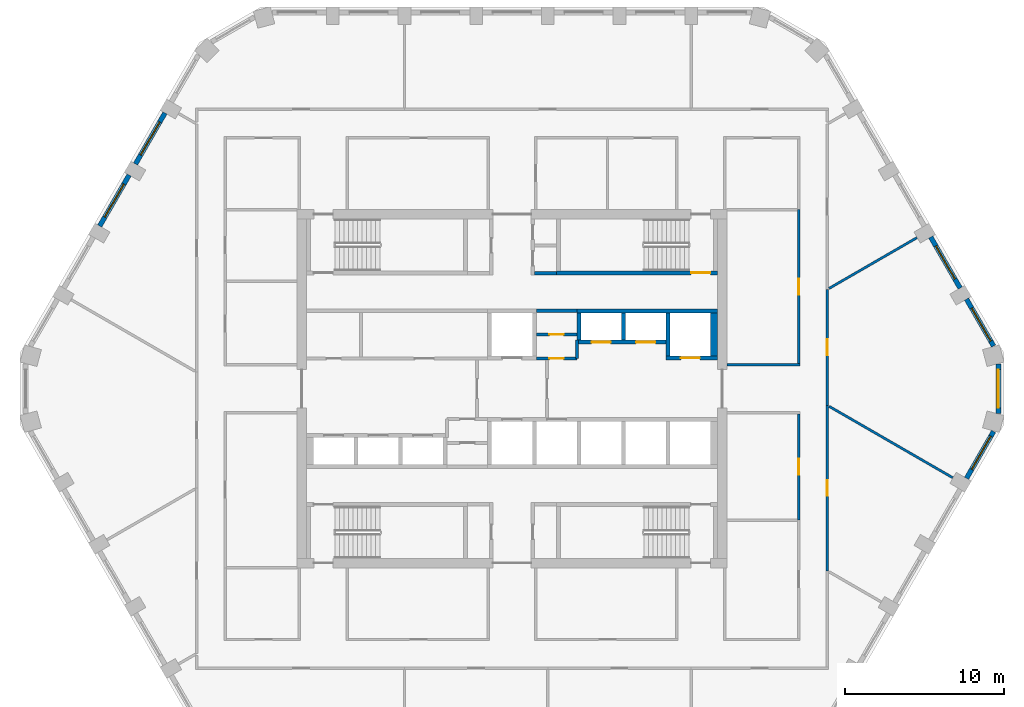
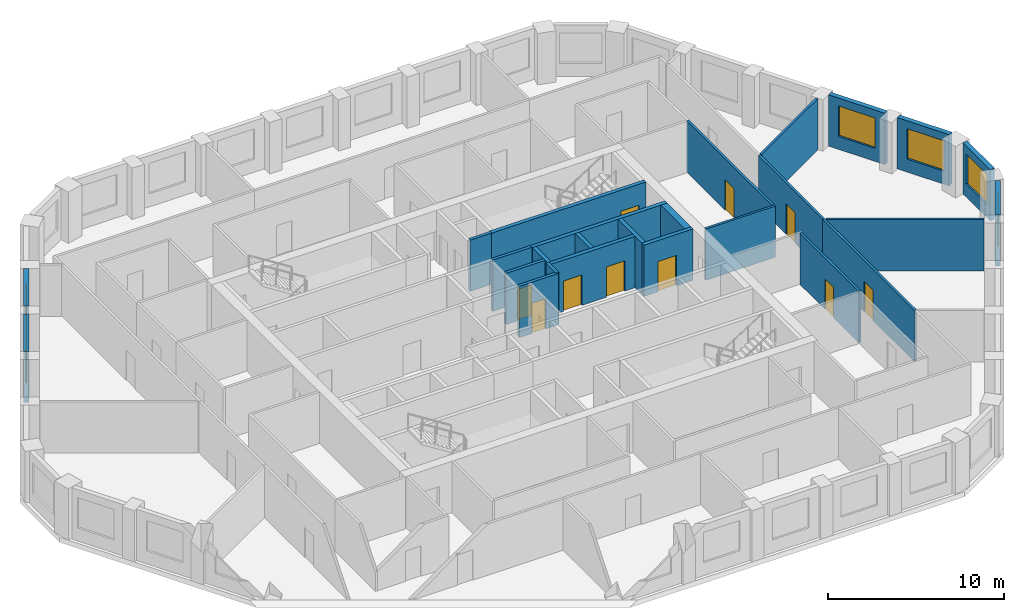
# One storey, part 5 of 9: 26 walls, 10 doors, 6 windows, 16 openings.
"""IFC4 building model written with IfcOpenShell, lengths in metres."""

from ifc_helpers import new_model, si_unit, direction, frame, frame_2d, origin, place, context, subcontext, project, spatial, polyline, rectangle, outline, extrude, material, layer, layer_set, type_object, element, fill, save


model = new_model("IFC4")

# Units and contexts
model_context = context("Model", 3, precision=1e-05, world=origin(), true_north=direction((0.0, 1.0)))
body_context = subcontext(model_context, "Body", "Model", "MODEL_VIEW")
ifc_project = project(units=[si_unit("LENGTHUNIT", "METRE"), si_unit("AREAUNIT", "SQUARE_METRE"), si_unit("VOLUMEUNIT", "CUBIC_METRE"), si_unit("PLANEANGLEUNIT", "RADIAN"), si_unit("MASSUNIT", "GRAM", prefix="KILO")], contexts=[model_context])

# Site, building, storey
site_placement = place(None, origin())
site = spatial("IfcSite", under=ifc_project, at=site_placement, CompositionType="ELEMENT")
building_placement = place(site_placement, origin())
building = spatial("IfcBuilding", under=site, at=building_placement, Name="Dhurran Vertical Campus", CompositionType="ELEMENT")
storey_placement = place(building_placement, frame((0.0, 0.0, 203.39990234375)))
storey = spatial("IfcBuildingStorey", under=building, at=storey_placement, Name="L50", CompositionType="ELEMENT", Elevation=203.39990234375)

# Wall, opening, window
ifc_material_1 = material(Name="Precast concrete C50/60", Category="concrete")
ifc_layer_1 = layer(ifc_material_1, 0.300048828125)
ifc_layer_set_1 = layer_set([ifc_layer_1], Name="Precast concrete C50/60")
wall_type_1 = type_object("IfcWallType", Name="Precast spandrel wall 300", PredefinedType="SOLIDWALL", material=ifc_layer_set_1)
wall_1_placement = place(storey_placement, frame((28.544189453125, -5.625244140625, 0.0), z_axis=(0.0, 0.0, 1.0), x_axis=(0.500012868213, 0.866017974191, 0.0)))
wall_1 = element("IfcWall", 1, at=wall_1_placement, inside=storey, type_object=wall_type_1, Name="EW1 L50.12", PredefinedType="SOLIDWALL", context=body_context, shape_type="SweptSolid", body=[
    extrude(rectangle(XDim=3.39599609375, YDim=0.300048828125, at=frame_2d((1.697998046875, 0.0))), origin(), (0.0, 0.0, 1.0), 3.550048828125),
])
opening_1_placement = place(wall_1_placement, frame((0.6494140625, 0.0, 0.89990234375)))
opening_1 = element("IfcOpeningElement", 2, at=opening_1_placement, cuts=wall_1, Name="Opening WT1", PredefinedType="OPENING", context=body_context, shape_type="SweptSolid", body=[
    extrude(rectangle(XDim=2.39990234375, YDim=2.10009765625, at=frame_2d((1.199951171875, 1.050048828125))), frame((0.0, 0.159912109375, 0.0), z_axis=(0.0, -1.0, 0.0), x_axis=(1.0, 0.0, 0.0)), (0.0, 0.0, 1.0), 0.320068359375),
])
ifc_material_2 = material(Name="Aluminium frame with solar-control glass", Category="aluminium")
window_type = type_object("IfcWindowType", Name="Punched window 2400 x 2100", PartitioningType="SINGLE_PANEL", PredefinedType="WINDOW", material=ifc_material_2)
window_1_placement = place(opening_1_placement, origin())
window_1 = element("IfcWindow", 3, at=window_1_placement, inside=storey, type_object=window_type, Name="WT1 L50.12", OverallHeight=2.10009765625, OverallWidth=2.39990234375, PartitioningType="SINGLE_PANEL", PredefinedType="WINDOW", context=body_context, shape_type="SweptSolid", body=[
    extrude(rectangle(XDim=2.39990234375, YDim=2.10009765625, at=frame_2d((1.199951171875, 1.050048828125))), frame((0.0, 0.030029296875, 0.0), z_axis=(0.0, -1.0, 0.0), x_axis=(1.0, 0.0, 0.0)), (0.0, 0.0, 1.0), 0.06005859375),
])
fill(opening_1, window_1)

wall_2_placement = place(storey_placement, frame((30.547119140625, -1.54638671875, 0.0), z_axis=(0.0, 0.0, 1.0), x_axis=(0.0, 1.0, 0.0)))
wall_2 = element("IfcWall", 4, at=wall_2_placement, inside=storey, type_object=wall_type_1, Name="EW1 L50.13", PredefinedType="SOLIDWALL", context=body_context, shape_type="SweptSolid", body=[
    extrude(rectangle(XDim=3.0927734375, YDim=0.300048828125, at=frame_2d((1.54638671875, 0.0))), origin(), (0.0, 0.0, 1.0), 3.550048828125),
])
opening_2_placement = place(wall_2_placement, frame((0.34619140625, 0.0, 0.89990234375)))
opening_2 = element("IfcOpeningElement", 5, at=opening_2_placement, cuts=wall_2, Name="Opening WT1", PredefinedType="OPENING", context=body_context, shape_type="SweptSolid", body=[
    extrude(rectangle(XDim=2.39990234375, YDim=2.10009765625, at=frame_2d((1.199951171875, 1.050048828125))), frame((0.0, 0.159912109375, 0.0), z_axis=(0.0, -1.0, 0.0), x_axis=(1.0, 0.0, 0.0)), (0.0, 0.0, 1.0), 0.320068359375),
])
window_2_placement = place(opening_2_placement, origin())
window_2 = element("IfcWindow", 6, at=window_2_placement, inside=storey, type_object=window_type, Name="WT1 L50.13", OverallHeight=2.10009765625, OverallWidth=2.39990234375, PartitioningType="SINGLE_PANEL", PredefinedType="WINDOW", context=body_context, shape_type="SweptSolid", body=[
    extrude(rectangle(XDim=2.39990234375, YDim=2.10009765625, at=frame_2d((1.199951171875, 1.050048828125))), frame((0.0, 0.030029296875, 0.0), z_axis=(0.0, -1.0, 0.0), x_axis=(1.0, 0.0, 0.0)), (0.0, 0.0, 1.0), 0.06005859375),
])
fill(opening_2, window_2)

wall_3_placement = place(storey_placement, frame((30.2421875, 2.684326171875, 0.0), z_axis=(0.0, 0.0, 1.0), x_axis=(-0.500012868213, 0.866017974191, 0.0)))
wall_3 = element("IfcWall", 7, at=wall_3_placement, inside=storey, type_object=wall_type_1, Name="EW1 L50.14", PredefinedType="SOLIDWALL", context=body_context, shape_type="SweptSolid", body=[
    extrude(rectangle(XDim=3.39599609375, YDim=0.300048828125, at=frame_2d((1.697998046875, 0.0))), origin(), (0.0, 0.0, 1.0), 3.550048828125),
])
opening_3_placement = place(wall_3_placement, frame((0.346435546875, 0.0, 0.89990234375)))
opening_3 = element("IfcOpeningElement", 8, at=opening_3_placement, cuts=wall_3, Name="Opening WT1", PredefinedType="OPENING", context=body_context, shape_type="SweptSolid", body=[
    extrude(rectangle(XDim=2.39990234375, YDim=2.10009765625, at=frame_2d((1.199951171875, 1.050048828125))), frame((0.0, 0.159912109375, 0.0), z_axis=(0.0, -1.0, 0.0), x_axis=(1.0, 0.0, 0.0)), (0.0, 0.0, 1.0), 0.320068359375),
])
window_3_placement = place(opening_3_placement, origin())
window_3 = element("IfcWindow", 9, at=window_3_placement, inside=storey, type_object=window_type, Name="WT1 L50.14", OverallHeight=2.10009765625, OverallWidth=2.39990234375, PartitioningType="SINGLE_PANEL", PredefinedType="WINDOW", context=body_context, shape_type="SweptSolid", body=[
    extrude(rectangle(XDim=2.39990234375, YDim=2.10009765625, at=frame_2d((1.199951171875, 1.050048828125))), frame((0.0, 0.030029296875, 0.0), z_axis=(0.0, -1.0, 0.0), x_axis=(1.0, 0.0, 0.0)), (0.0, 0.0, 1.0), 0.06005859375),
])
fill(opening_3, window_3)

wall_4_placement = place(storey_placement, frame((28.143798828125, 6.319091796875, 0.0), z_axis=(0.0, 0.0, 1.0), x_axis=(-0.500029062817, 0.866008623709, 0.0)))
wall_4 = element("IfcWall", 10, at=wall_4_placement, inside=storey, type_object=wall_type_1, Name="EW1 L50.15", PredefinedType="SOLIDWALL", context=body_context, shape_type="SweptSolid", body=[
    extrude(rectangle(XDim=3.698974609375, YDim=0.300048828125, at=frame_2d((1.849609375, 0.0))), origin(), (0.0, 0.0, 1.0), 3.550048828125),
])
opening_4_placement = place(wall_4_placement, frame((0.6494140625, 0.0, 0.89990234375)))
opening_4 = element("IfcOpeningElement", 11, at=opening_4_placement, cuts=wall_4, Name="Opening WT1", PredefinedType="OPENING", context=body_context, shape_type="SweptSolid", body=[
    extrude(rectangle(XDim=2.39990234375, YDim=2.10009765625, at=frame_2d((1.199951171875, 1.050048828125))), frame((0.0, 0.159912109375, 0.0), z_axis=(0.0, -1.0, 0.0), x_axis=(1.0, 0.0, 0.0)), (0.0, 0.0, 1.0), 0.320068359375),
])
window_4_placement = place(opening_4_placement, origin())
window_4 = element("IfcWindow", 12, at=window_4_placement, inside=storey, type_object=window_type, Name="WT1 L50.15", OverallHeight=2.10009765625, OverallWidth=2.39990234375, PartitioningType="SINGLE_PANEL", PredefinedType="WINDOW", context=body_context, shape_type="SweptSolid", body=[
    extrude(rectangle(XDim=2.39990234375, YDim=2.10009765625, at=frame_2d((1.199951171875, 1.050048828125))), frame((0.0, 0.030029296875, 0.0), z_axis=(0.0, -1.0, 0.0), x_axis=(1.0, 0.0, 0.0)), (0.0, 0.0, 1.0), 0.06005859375),
])
fill(opening_4, window_4)

wall_5_placement = place(storey_placement, frame((-21.794189453125, 17.316650390625, 0.0), z_axis=(0.0, 0.0, 1.0), x_axis=(-0.500029062817, -0.866008623709, 0.0)))
wall_5 = element("IfcWall", 13, at=wall_5_placement, inside=storey, type_object=wall_type_1, Name="EW1 L50.29", PredefinedType="SOLIDWALL", context=body_context, shape_type="SweptSolid", body=[
    extrude(rectangle(XDim=3.698974609375, YDim=0.300048828125, at=frame_2d((1.849609375, 0.0))), origin(), (0.0, 0.0, 1.0), 3.550048828125),
])
opening_5_placement = place(wall_5_placement, frame((0.6494140625, 0.0, 0.89990234375)))
opening_5 = element("IfcOpeningElement", 14, at=opening_5_placement, cuts=wall_5, Name="Opening WT1", PredefinedType="OPENING", context=body_context, shape_type="SweptSolid", body=[
    extrude(rectangle(XDim=2.39990234375, YDim=2.10009765625, at=frame_2d((1.199951171875, 1.050048828125))), frame((0.0, 0.159912109375, 0.0), z_axis=(0.0, -1.0, 0.0), x_axis=(1.0, 0.0, 0.0)), (0.0, 0.0, 1.0), 0.320068359375),
])
window_5_placement = place(opening_5_placement, origin())
window_5 = element("IfcWindow", 15, at=window_5_placement, inside=storey, type_object=window_type, Name="WT1 L50.29", OverallHeight=2.10009765625, OverallWidth=2.39990234375, PartitioningType="SINGLE_PANEL", PredefinedType="WINDOW", context=body_context, shape_type="SweptSolid", body=[
    extrude(rectangle(XDim=2.39990234375, YDim=2.10009765625, at=frame_2d((1.199951171875, 1.050048828125))), frame((0.0, 0.030029296875, 0.0), z_axis=(0.0, -1.0, 0.0), x_axis=(1.0, 0.0, 0.0)), (0.0, 0.0, 1.0), 0.06005859375),
])
fill(opening_5, window_5)

wall_6_placement = place(storey_placement, frame((-24.044189453125, 13.41943359375, 0.0), z_axis=(0.0, 0.0, 1.0), x_axis=(-0.500029062817, -0.866008623709, 0.0)))
wall_6 = element("IfcWall", 16, at=wall_6_placement, inside=storey, type_object=wall_type_1, Name="EW1 L50.30", PredefinedType="SOLIDWALL", context=body_context, shape_type="SweptSolid", body=[
    extrude(rectangle(XDim=3.698974609375, YDim=0.300048828125, at=frame_2d((1.849609375, 0.0))), origin(), (0.0, 0.0, 1.0), 3.550048828125),
])
opening_6_placement = place(wall_6_placement, frame((0.6494140625, 0.0, 0.89990234375)))
opening_6 = element("IfcOpeningElement", 17, at=opening_6_placement, cuts=wall_6, Name="Opening WT1", PredefinedType="OPENING", context=body_context, shape_type="SweptSolid", body=[
    extrude(rectangle(XDim=2.39990234375, YDim=2.10009765625, at=frame_2d((1.199951171875, 1.050048828125))), frame((0.0, 0.159912109375, 0.0), z_axis=(0.0, -1.0, 0.0), x_axis=(1.0, 0.0, 0.0)), (0.0, 0.0, 1.0), 0.320068359375),
])
window_6_placement = place(opening_6_placement, origin())
window_6 = element("IfcWindow", 18, at=window_6_placement, inside=storey, type_object=window_type, Name="WT1 L50.30", OverallHeight=2.10009765625, OverallWidth=2.39990234375, PartitioningType="SINGLE_PANEL", PredefinedType="WINDOW", context=body_context, shape_type="SweptSolid", body=[
    extrude(rectangle(XDim=2.39990234375, YDim=2.10009765625, at=frame_2d((1.199951171875, 1.050048828125))), frame((0.0, 0.030029296875, 0.0), z_axis=(0.0, -1.0, 0.0), x_axis=(1.0, 0.0, 0.0)), (0.0, 0.0, 1.0), 0.06005859375),
])
fill(opening_6, window_6)

# Wall
ifc_material_3 = material(Name="Fire-rated masonry blockwork", Category="masonry")
ifc_layer_2 = layer(ifc_material_3, 0.199951171875)
ifc_layer_set_2 = layer_set([ifc_layer_2], Name="Fire-rated masonry blockwork")
wall_type_2 = type_object("IfcWallType", Name="co-FIRE-PARTITION-200", PredefinedType="PARTITIONING", material=ifc_layer_set_2)
wall_7_placement = place(storey_placement, frame((1.39990234375, 7.25, 0.0), z_axis=(0.0, 0.0, 1.0), x_axis=(1.0, 0.0, 0.0)))
element("IfcWall", 19, at=wall_7_placement, inside=storey, type_object=wall_type_2, Name="Core partition sl-NE-S L50", PredefinedType="PARTITIONING", context=body_context, shape_type="SweptSolid", body=[
    extrude(rectangle(XDim=1.400146484375, YDim=0.199951171875, at=frame_2d((0.7001953125, 0.0))), origin(), (0.0, 0.0, 1.0), 3.550048828125),
])

# Wall, opening, door
wall_8_placement = place(storey_placement, frame((1.52490234375, 3.39990234375, 0.0), z_axis=(0.0, 0.0, 1.0), x_axis=(1.0, 0.0, 0.0)))
wall_8 = element("IfcWall", 20, at=wall_8_placement, inside=storey, type_object=wall_type_2, Name="Core partition fr-N1-c L50", PredefinedType="PARTITIONING", context=body_context, shape_type="SweptSolid", body=[
    extrude(rectangle(XDim=2.550048828125, YDim=0.199951171875, at=frame_2d((1.27490234375, 0.0))), origin(), (0.0, 0.0, 1.0), 3.550048828125),
])
opening_7_placement = place(wall_8_placement, frame((0.824951171875, 0.0, 0.0)))
opening_7 = element("IfcOpeningElement", 21, at=opening_7_placement, cuts=wall_8, Name="Opening T14-C8", PredefinedType="OPENING", context=body_context, shape_type="SweptSolid", body=[
    extrude(rectangle(XDim=0.89990234375, YDim=2.10009765625, at=frame_2d((0.449951171875, 1.050048828125))), frame((0.0, 0.10986328125, 0.0), z_axis=(0.0, -1.0, 0.0), x_axis=(1.0, 0.0, 0.0)), (0.0, 0.0, 1.0), 0.219970703125),
])
ifc_material_4 = material(Name="Fire-rated timber door set", Category="wood")
door_type_1 = type_object("IfcDoorType", Name="co-D-ROOM 900x2100", OperationType="SINGLE_SWING_LEFT", PredefinedType="DOOR", material=ifc_material_4)
door_1_placement = place(opening_7_placement, origin())
door_1 = element("IfcDoor", 22, at=door_1_placement, inside=storey, type_object=door_type_1, Name="Communications room door L50", OperationType="SINGLE_SWING_LEFT", OverallHeight=2.10009765625, OverallWidth=0.89990234375, PredefinedType="DOOR", context=body_context, shape_type="SweptSolid", body=[
    extrude(rectangle(XDim=0.89990234375, YDim=2.10009765625, at=frame_2d((0.449951171875, 1.050048828125))), frame((0.0, 0.02490234375, 0.0), z_axis=(0.0, -1.0, 0.0), x_axis=(1.0, 0.0, 0.0)), (0.0, 0.0, 1.0), 0.050048828125),
])
fill(opening_7, door_1)

wall_9_placement = place(storey_placement, frame((1.52490234375, 1.89990234375, 0.0), z_axis=(0.0, 0.0, 1.0), x_axis=(1.0, 0.0, 0.0)))
wall_9 = element("IfcWall", 23, at=wall_9_placement, inside=storey, type_object=wall_type_2, Name="Core partition fr-N1-f L50", PredefinedType="PARTITIONING", context=body_context, shape_type="SweptSolid", body=[
    extrude(rectangle(XDim=2.550048828125, YDim=0.199951171875, at=frame_2d((1.27490234375, 0.0))), origin(), (0.0, 0.0, 1.0), 3.550048828125),
])
opening_8_placement = place(wall_9_placement, frame((0.824951171875, 0.0, 0.0)))
opening_8 = element("IfcOpeningElement", 24, at=opening_8_placement, cuts=wall_9, Name="Opening T14-C9", PredefinedType="OPENING", context=body_context, shape_type="SweptSolid", body=[
    extrude(rectangle(XDim=0.89990234375, YDim=2.10009765625, at=frame_2d((0.449951171875, 1.050048828125))), frame((0.0, 0.10986328125, 0.0), z_axis=(0.0, -1.0, 0.0), x_axis=(1.0, 0.0, 0.0)), (0.0, 0.0, 1.0), 0.219970703125),
])
door_2_placement = place(opening_8_placement, origin())
door_2 = element("IfcDoor", 25, at=door_2_placement, inside=storey, type_object=door_type_1, Name="Server room door L50", OperationType="SINGLE_SWING_LEFT", OverallHeight=2.10009765625, OverallWidth=0.89990234375, PredefinedType="DOOR", context=body_context, shape_type="SweptSolid", body=[
    extrude(rectangle(XDim=0.89990234375, YDim=2.10009765625, at=frame_2d((0.449951171875, 1.050048828125))), frame((0.0, 0.02490234375, 0.0), z_axis=(0.0, -1.0, 0.0), x_axis=(1.0, 0.0, 0.0)), (0.0, 0.0, 1.0), 0.050048828125),
])
fill(opening_8, door_2)

# Walls
wall_10_placement = place(storey_placement, frame((1.52490234375, 4.89990234375, 0.0), z_axis=(0.0, 0.0, 1.0), x_axis=(1.0, 0.0, 0.0)))
element("IfcWall", 26, at=wall_10_placement, inside=storey, type_object=wall_type_2, Name="Core partition fr-N1-b L50", PredefinedType="PARTITIONING", context=body_context, shape_type="SweptSolid", body=[
    extrude(rectangle(XDim=2.550048828125, YDim=0.199951171875, at=frame_2d((1.27490234375, 0.0))), origin(), (0.0, 0.0, 1.0), 3.550048828125),
])
wall_11_placement = place(storey_placement, frame((4.074951171875, 1.89990234375, 0.0), z_axis=(0.0, 0.0, 1.0), x_axis=(0.0, 1.0, 0.0)))
element("IfcWall", 27, at=wall_11_placement, inside=storey, type_object=wall_type_2, Name="Core partition fr-N1-n1 L50", PredefinedType="PARTITIONING", context=body_context, shape_type="SweptSolid", body=[
    extrude(rectangle(XDim=1.150146484375, YDim=0.199951171875, at=frame_2d((0.5751953125, 0.0))), origin(), (0.0, 0.0, 1.0), 3.550048828125),
])

# Wall, openings, doors
ifc_material_5 = material(Name="Concrete C50/60", Category="concrete")
ifc_layer_3 = layer(ifc_material_5, 0.25)
ifc_layer_set_3 = layer_set([ifc_layer_3], Name="Concrete C50/60")
wall_type_3 = type_object("IfcWallType", Name="co-SHAFT-FRONT-250", PredefinedType="SHEAR", material=ifc_layer_set_3)
wall_12_placement = place(storey_placement, frame((4.074951171875, 2.925048828125, 0.0), z_axis=(0.0, 0.0, 1.0), x_axis=(1.0, 0.0, 0.0)))
wall_12 = element("IfcWall", 28, at=wall_12_placement, inside=storey, type_object=wall_type_3, Name="Lift landing wall N L50", PredefinedType="SHEAR", context=body_context, shape_type="SweptSolid", body=[
    extrude(rectangle(XDim=5.85009765625, YDim=0.25, at=frame_2d((2.925048828125, 0.0))), origin(), (0.0, 0.0, 1.0), 3.550048828125),
])
opening_9_placement = place(wall_12_placement, frame((0.925048828125, 0.0, 0.0)))
opening_9 = element("IfcOpeningElement", 29, at=opening_9_placement, cuts=wall_12, Name="Opening LD", PredefinedType="OPENING", context=body_context, shape_type="SweptSolid", body=[
    extrude(rectangle(XDim=1.199951171875, YDim=2.10009765625, at=frame_2d((0.60009765625, 1.050048828125))), frame((0.0, 0.135009765625, 0.0), z_axis=(0.0, -1.0, 0.0), x_axis=(1.0, 0.0, 0.0)), (0.0, 0.0, 1.0), 0.27001953125),
])
opening_10_placement = place(wall_12_placement, frame((3.72509765625, 0.0, 0.0)))
opening_10 = element("IfcOpeningElement", 30, at=opening_10_placement, cuts=wall_12, Name="Opening LD", PredefinedType="OPENING", context=body_context, shape_type="SweptSolid", body=[
    extrude(rectangle(XDim=1.199951171875, YDim=2.10009765625, at=frame_2d((0.60009765625, 1.050048828125))), frame((0.0, 0.135009765625, 0.0), z_axis=(0.0, -1.0, 0.0), x_axis=(1.0, 0.0, 0.0)), (0.0, 0.0, 1.0), 0.27001953125),
])
ifc_material_6 = material(Name="Stainless steel landing door", Category="steel")
door_type_2 = type_object("IfcDoorType", Name="co-D-LANDING 1200x2100", OperationType="DOUBLE_DOOR_SLIDING", PredefinedType="DOOR", material=ifc_material_6)
door_3_placement = place(opening_9_placement, origin())
door_3 = element("IfcDoor", 31, at=door_3_placement, inside=storey, type_object=door_type_2, Name="Landing door MR1 L50", OperationType="DOUBLE_DOOR_SLIDING", OverallHeight=2.10009765625, OverallWidth=1.199951171875, PredefinedType="DOOR", context=body_context, shape_type="SweptSolid", body=[
    extrude(rectangle(XDim=1.199951171875, YDim=2.10009765625, at=frame_2d((0.60009765625, 1.050048828125))), frame((0.0, 0.02490234375, 0.0), z_axis=(0.0, -1.0, 0.0), x_axis=(1.0, 0.0, 0.0)), (0.0, 0.0, 1.0), 0.050048828125),
])
fill(opening_9, door_3)
door_4_placement = place(opening_10_placement, origin())
door_4 = element("IfcDoor", 32, at=door_4_placement, inside=storey, type_object=door_type_2, Name="Landing door MR2 L50", OperationType="DOUBLE_DOOR_SLIDING", OverallHeight=2.10009765625, OverallWidth=1.199951171875, PredefinedType="DOOR", context=body_context, shape_type="SweptSolid", body=[
    extrude(rectangle(XDim=1.199951171875, YDim=2.10009765625, at=frame_2d((0.60009765625, 1.050048828125))), frame((0.0, 0.02490234375, 0.0), z_axis=(0.0, -1.0, 0.0), x_axis=(1.0, 0.0, 0.0)), (0.0, 0.0, 1.0), 0.050048828125),
])
fill(opening_10, door_4)

# Wall, opening, door
wall_13_placement = place(storey_placement, frame((9.675048828125, 1.925048828125, 0.0), z_axis=(0.0, 0.0, 1.0), x_axis=(1.0, 0.0, 0.0)))
wall_13 = element("IfcWall", 33, at=wall_13_placement, inside=storey, type_object=wall_type_3, Name="Lift landing wall N L50", PredefinedType="SHEAR", context=body_context, shape_type="SweptSolid", body=[
    extrude(rectangle(XDim=3.224853515625, YDim=0.25, at=frame_2d((1.6123046875, 0.0))), origin(), (0.0, 0.0, 1.0), 3.550048828125),
])
opening_11_placement = place(wall_13_placement, frame((0.925048828125, 0.0, 0.0)))
opening_11 = element("IfcOpeningElement", 34, at=opening_11_placement, cuts=wall_13, Name="Opening LD", PredefinedType="OPENING", context=body_context, shape_type="SweptSolid", body=[
    extrude(rectangle(XDim=1.199951171875, YDim=2.10009765625, at=frame_2d((0.60009765625, 1.050048828125))), frame((0.0, 0.135009765625, 0.0), z_axis=(0.0, -1.0, 0.0), x_axis=(1.0, 0.0, 0.0)), (0.0, 0.0, 1.0), 0.27001953125),
])
door_5_placement = place(opening_11_placement, origin())
door_5 = element("IfcDoor", 35, at=door_5_placement, inside=storey, type_object=door_type_2, Name="Landing door SV2 L50", OperationType="DOUBLE_DOOR_SLIDING", OverallHeight=2.10009765625, OverallWidth=1.199951171875, PredefinedType="DOOR", context=body_context, shape_type="SweptSolid", body=[
    extrude(rectangle(XDim=1.199951171875, YDim=2.10009765625, at=frame_2d((0.60009765625, 1.050048828125))), frame((0.0, 0.02490234375, 0.0), z_axis=(0.0, -1.0, 0.0), x_axis=(1.0, 0.0, 0.0)), (0.0, 0.0, 1.0), 0.050048828125),
])
fill(opening_11, door_5)

# Walls
ifc_material_7 = material(Name="Concrete C50/60", Category="concrete")
ifc_layer_4 = layer(ifc_material_7, 0.25)
ifc_layer_set_4 = layer_set([ifc_layer_4], Name="Concrete C50/60")
wall_type_4 = type_object("IfcWallType", Name="co-SHAFT-MASS-250", PredefinedType="SHEAR", material=ifc_layer_set_4)
wall_14_placement = place(storey_placement, origin())
element("IfcWall", 36, at=wall_14_placement, inside=storey, type_object=wall_type_4, Name="Lift shaft wall N L50 2", PredefinedType="SHEAR", context=body_context, shape_type="SweptSolid", body=[
    extrude(outline(polyline([(4.074951171875, 4.75), (12.89990234375, 4.75), (12.89990234375, 5.0), (4.074951171875, 5.0), (4.074951171875, 4.75)])), origin(), (0.0, 0.0, 1.0), 3.550048828125),
])
wall_15_placement = place(storey_placement, origin())
element("IfcWall", 37, at=wall_15_placement, inside=storey, type_object=wall_type_4, Name="Lift shaft wall N L50 5", PredefinedType="SHEAR", context=body_context, shape_type="SweptSolid", body=[
    extrude(outline(polyline([(9.675048828125, 2.050048828125), (9.925048828125, 2.050048828125), (9.925048828125, 4.75), (9.675048828125, 4.75), (9.675048828125, 2.050048828125)])), origin(), (0.0, 0.0, 1.0), 3.550048828125),
])
wall_16_placement = place(storey_placement, origin())
element("IfcWall", 38, at=wall_16_placement, inside=storey, type_object=wall_type_4, Name="Lift shaft wall N L50 6", PredefinedType="SHEAR", context=body_context, shape_type="SweptSolid", body=[
    extrude(outline(polyline([(12.47509765625, 2.050048828125), (12.89990234375, 2.050048828125), (12.89990234375, 4.75), (12.47509765625, 4.75), (12.47509765625, 2.050048828125)])), origin(), (0.0, 0.0, 1.0), 3.550048828125),
])
wall_17_placement = place(storey_placement, origin())
element("IfcWall", 39, at=wall_17_placement, inside=storey, type_object=wall_type_4, Name="Lift shaft wall N L50 7", PredefinedType="SHEAR", context=body_context, shape_type="SweptSolid", body=[
    extrude(outline(polyline([(4.074951171875, 3.050048828125), (4.324951171875, 3.050048828125), (4.324951171875, 4.75), (4.074951171875, 4.75), (4.074951171875, 3.050048828125)])), origin(), (0.0, 0.0, 1.0), 3.550048828125),
])
wall_18_placement = place(storey_placement, origin())
element("IfcWall", 40, at=wall_18_placement, inside=storey, type_object=wall_type_4, Name="Lift shaft wall N L50 8", PredefinedType="SHEAR", context=body_context, shape_type="SweptSolid", body=[
    extrude(outline(polyline([(6.875, 3.050048828125), (7.125, 3.050048828125), (7.125, 4.75), (6.875, 4.75), (6.875, 3.050048828125)])), origin(), (0.0, 0.0, 1.0), 3.550048828125),
])

# Wall, opening, door
ifc_material_8 = material(Name="Concrete C40/50", Category="concrete")
ifc_layer_5 = layer(ifc_material_8, 0.25)
ifc_layer_set_5 = layer_set([ifc_layer_5], Name="Concrete C40/50")
wall_type_5 = type_object("IfcWallType", Name="co-STAIR-WALL-250", PredefinedType="SHEAR", material=ifc_layer_set_5)
wall_19_placement = place(storey_placement, frame((2.800048828125, 7.27490234375, 0.0), z_axis=(0.0, 0.0, 1.0), x_axis=(1.0, 0.0, 0.0)))
wall_19 = element("IfcWall", 41, at=wall_19_placement, inside=storey, type_object=wall_type_5, Name="Stair ST2 enclosure wall L50", PredefinedType="SHEAR", context=body_context, shape_type="SweptSolid", body=[
    extrude(rectangle(XDim=10.099853515625, YDim=0.25, at=frame_2d((5.0498046875, 0.0))), origin(), (0.0, 0.0, 1.0), 3.550048828125),
])
opening_12_placement = place(wall_19_placement, frame((8.449951171875, 0.0, 0.0)))
opening_12 = element("IfcOpeningElement", 42, at=opening_12_placement, cuts=wall_19, Name="Opening SD2", PredefinedType="OPENING", context=body_context, shape_type="SweptSolid", body=[
    extrude(rectangle(XDim=1.199951171875, YDim=2.10009765625, at=frame_2d((0.60009765625, 1.050048828125))), frame((0.0, 0.135009765625, 0.0), z_axis=(0.0, -1.0, 0.0), x_axis=(1.0, 0.0, 0.0)), (0.0, 0.0, 1.0), 0.27001953125),
])
ifc_material_9 = material(Name="Fire-rated steel door set", Category="steel")
door_type_3 = type_object("IfcDoorType", Name="co-D-STAIR 1200x2100", OperationType="SINGLE_SWING_LEFT", PredefinedType="DOOR", material=ifc_material_9)
door_6_placement = place(opening_12_placement, origin())
door_6 = element("IfcDoor", 43, at=door_6_placement, inside=storey, type_object=door_type_3, Name="Stair ST2 door L50", OperationType="SINGLE_SWING_LEFT", OverallHeight=2.10009765625, OverallWidth=1.199951171875, PredefinedType="DOOR", context=body_context, shape_type="SweptSolid", body=[
    extrude(rectangle(XDim=1.199951171875, YDim=2.10009765625, at=frame_2d((0.60009765625, 1.050048828125))), frame((0.0, 0.02490234375, 0.0), z_axis=(0.0, -1.0, 0.0), x_axis=(1.0, 0.0, 0.0)), (0.0, 0.0, 1.0), 0.050048828125),
])
fill(opening_12, door_6)

# Wall
ifc_material_10 = material(Name="Gypsum board corridor wall on steel studs", Category="steel")
ifc_layer_6 = layer(ifc_material_10, 0.14990234375)
ifc_layer_set_6 = layer_set([ifc_layer_6], Name="Gypsum board corridor wall on steel studs")
wall_type_6 = type_object("IfcWallType", Name="fl-CW-150 corridor wall", PredefinedType="PARTITIONING", material=ifc_layer_set_6)
wall_20_placement = place(storey_placement, frame((18.074951171875, 1.5, 0.0), z_axis=(0.0, 0.0, 1.0), x_axis=(-1.0, 0.0, 0.0)))
element("IfcWall", 44, at=wall_20_placement, inside=storey, type_object=wall_type_6, Name="Partition 50-56", PredefinedType="PARTITIONING", context=body_context, shape_type="SweptSolid", body=[
    extrude(rectangle(XDim=4.574951171875, YDim=0.14990234375, at=frame_2d((2.28759765625, 0.0))), origin(), (0.0, 0.0, 1.0), 3.550048828125),
])

# Wall, opening, door
wall_21_placement = place(storey_placement, frame((18.0, -1.574951171875, 0.0), z_axis=(0.0, 0.0, 1.0), x_axis=(0.0, -1.0, 0.0)))
wall_21 = element("IfcWall", 45, at=wall_21_placement, inside=storey, type_object=wall_type_6, Name="Partition 50-59", PredefinedType="PARTITIONING", context=body_context, shape_type="SweptSolid", body=[
    extrude(rectangle(XDim=6.675048828125, YDim=0.14990234375, at=frame_2d((3.33740234375, 0.0))), origin(), (0.0, 0.0, 1.0), 3.550048828125),
])
opening_13_placement = place(wall_21_placement, frame((2.83740234375, 0.0, 0.0)))
opening_13 = element("IfcOpeningElement", 46, at=opening_13_placement, cuts=wall_21, Name="Opening T14.22", PredefinedType="OPENING", context=body_context, shape_type="SweptSolid", body=[
    extrude(rectangle(XDim=1.0, YDim=2.10009765625, at=frame_2d((0.5, 1.050048828125))), frame((0.0, 0.0849609375, 0.0), z_axis=(0.0, -1.0, 0.0), x_axis=(1.0, 0.0, 0.0)), (0.0, 0.0, 1.0), 0.169921875),
])
ifc_material_11 = material(Name="Solid-core timber door set, fire-rated", Category="wood")
door_type_4 = type_object("IfcDoorType", Name="fl-D-1000x2100", OperationType="SINGLE_SWING_LEFT", PredefinedType="DOOR", material=ifc_material_11)
door_7_placement = place(opening_13_placement, origin())
door_7 = element("IfcDoor", 47, at=door_7_placement, inside=storey, type_object=door_type_4, Name="Door 50.22", OperationType="SINGLE_SWING_RIGHT", OverallHeight=2.10009765625, OverallWidth=1.0, PredefinedType="DOOR", context=body_context, shape_type="SweptSolid", body=[
    extrude(rectangle(XDim=1.0, YDim=2.10009765625, at=frame_2d((0.5, 1.050048828125))), frame((0.0, 0.02490234375, 0.0), z_axis=(0.0, -1.0, 0.0), x_axis=(1.0, 0.0, 0.0)), (0.0, 0.0, 1.0), 0.050048828125),
])
fill(opening_13, door_7)

wall_22_placement = place(storey_placement, frame((18.0, 11.25, 0.0), z_axis=(0.0, 0.0, 1.0), x_axis=(0.0, -1.0, 0.0)))
wall_22 = element("IfcWall", 48, at=wall_22_placement, inside=storey, type_object=wall_type_6, Name="Partition 50-60", PredefinedType="PARTITIONING", context=body_context, shape_type="SweptSolid", body=[
    extrude(rectangle(XDim=9.675048828125, YDim=0.14990234375, at=frame_2d((4.83740234375, 0.0))), origin(), (0.0, 0.0, 1.0), 3.550048828125),
])
opening_14_placement = place(wall_22_placement, frame((4.33740234375, 0.0, 0.0)))
opening_14 = element("IfcOpeningElement", 49, at=opening_14_placement, cuts=wall_22, Name="Opening T14.23", PredefinedType="OPENING", context=body_context, shape_type="SweptSolid", body=[
    extrude(rectangle(XDim=1.0, YDim=2.10009765625, at=frame_2d((0.5, 1.050048828125))), frame((0.0, 0.0849609375, 0.0), z_axis=(0.0, -1.0, 0.0), x_axis=(1.0, 0.0, 0.0)), (0.0, 0.0, 1.0), 0.169921875),
])
door_8_placement = place(opening_14_placement, origin())
door_8 = element("IfcDoor", 50, at=door_8_placement, inside=storey, type_object=door_type_4, Name="Door 50.23", OperationType="SINGLE_SWING_LEFT", OverallHeight=2.10009765625, OverallWidth=1.0, PredefinedType="DOOR", context=body_context, shape_type="SweptSolid", body=[
    extrude(rectangle(XDim=1.0, YDim=2.10009765625, at=frame_2d((0.5, 1.050048828125))), frame((0.0, 0.02490234375, 0.0), z_axis=(0.0, -1.0, 0.0), x_axis=(1.0, 0.0, 0.0)), (0.0, 0.0, 1.0), 0.050048828125),
])
fill(opening_14, door_8)

wall_23_placement = place(storey_placement, frame((19.800048828125, -11.431884765625, 0.0), z_axis=(0.0, 0.0, 1.0), x_axis=(0.0, 1.0, 0.0)))
wall_23 = element("IfcWall", 51, at=wall_23_placement, inside=storey, type_object=wall_type_6, Name="Partition 50-63", PredefinedType="PARTITIONING", context=body_context, shape_type="SweptSolid", body=[
    extrude(rectangle(XDim=10.392822265625, YDim=0.14990234375, at=frame_2d((5.1962890625, 0.0))), origin(), (0.0, 0.0, 1.0), 3.550048828125),
])
opening_15_placement = place(wall_23_placement, frame((4.696533203125, 0.0, 0.0)))
opening_15 = element("IfcOpeningElement", 52, at=opening_15_placement, cuts=wall_23, Name="Opening T14.26", PredefinedType="OPENING", context=body_context, shape_type="SweptSolid", body=[
    extrude(rectangle(XDim=1.0, YDim=2.10009765625, at=frame_2d((0.5, 1.050048828125))), frame((0.0, 0.0849609375, 0.0), z_axis=(0.0, -1.0, 0.0), x_axis=(1.0, 0.0, 0.0)), (0.0, 0.0, 1.0), 0.169921875),
])
door_9_placement = place(opening_15_placement, origin())
door_9 = element("IfcDoor", 53, at=door_9_placement, inside=storey, type_object=door_type_4, Name="Door 50.26", OperationType="SINGLE_SWING_RIGHT", OverallHeight=2.10009765625, OverallWidth=1.0, PredefinedType="DOOR", context=body_context, shape_type="SweptSolid", body=[
    extrude(rectangle(XDim=1.0, YDim=2.10009765625, at=frame_2d((0.5, 1.050048828125))), frame((0.0, 0.02490234375, 0.0), z_axis=(0.0, -1.0, 0.0), x_axis=(1.0, 0.0, 0.0)), (0.0, 0.0, 1.0), 0.050048828125),
])
fill(opening_15, door_9)

wall_24_placement = place(storey_placement, frame((19.800048828125, -1.0390625, 0.0), z_axis=(0.0, 0.0, 1.0), x_axis=(0.0, 1.0, 0.0)))
wall_24 = element("IfcWall", 54, at=wall_24_placement, inside=storey, type_object=wall_type_6, Name="Partition 50-65", PredefinedType="PARTITIONING", context=body_context, shape_type="SweptSolid", body=[
    extrude(rectangle(XDim=7.274169921875, YDim=0.14990234375, at=frame_2d((3.63720703125, 0.0))), origin(), (0.0, 0.0, 1.0), 3.550048828125),
])
opening_16_placement = place(wall_24_placement, frame((3.136962890625, 0.0, 0.0)))
opening_16 = element("IfcOpeningElement", 55, at=opening_16_placement, cuts=wall_24, Name="Opening T14.27", PredefinedType="OPENING", context=body_context, shape_type="SweptSolid", body=[
    extrude(rectangle(XDim=1.0, YDim=2.10009765625, at=frame_2d((0.5, 1.050048828125))), frame((0.0, 0.0849609375, 0.0), z_axis=(0.0, -1.0, 0.0), x_axis=(1.0, 0.0, 0.0)), (0.0, 0.0, 1.0), 0.169921875),
])
door_10_placement = place(opening_16_placement, origin())
door_10 = element("IfcDoor", 56, at=door_10_placement, inside=storey, type_object=door_type_4, Name="Door 50.27", OperationType="SINGLE_SWING_RIGHT", OverallHeight=2.10009765625, OverallWidth=1.0, PredefinedType="DOOR", context=body_context, shape_type="SweptSolid", body=[
    extrude(rectangle(XDim=1.0, YDim=2.10009765625, at=frame_2d((0.5, 1.050048828125))), frame((0.0, 0.02490234375, 0.0), z_axis=(0.0, -1.0, 0.0), x_axis=(1.0, 0.0, 0.0)), (0.0, 0.0, 1.0), 0.050048828125),
])
fill(opening_16, door_10)

# Walls
ifc_material_12 = material(Name="Gypsum board partition on steel studs", Category="steel")
ifc_layer_7 = layer(ifc_material_12, 0.14990234375)
ifc_layer_set_7 = layer_set([ifc_layer_7], Name="Gypsum board partition on steel studs")
wall_type_7 = type_object("IfcWallType", Name="fl-PW-150 fixed partition", PredefinedType="PARTITIONING", material=ifc_layer_set_7)
wall_25_placement = place(storey_placement, frame((19.91259765625, -1.10400390625, 0.0), z_axis=(0.0, 0.0, 1.0), x_axis=(0.866007370051, -0.500031234042, 0.0)))
element("IfcWall", 57, at=wall_25_placement, inside=storey, type_object=wall_type_7, Name="Partition 50-66", PredefinedType="PARTITIONING", context=body_context, shape_type="SweptSolid", body=[
    extrude(rectangle(XDim=8.9658203125, YDim=0.14990234375, at=frame_2d((4.48291015625, 0.0))), origin(), (0.0, 0.0, 1.0), 3.550048828125),
])
wall_26_placement = place(storey_placement, frame((25.42724609375, 9.484130859375, 0.0), z_axis=(0.0, 0.0, 1.0), x_axis=(-0.866011921086, -0.500023351992, 0.0)))
element("IfcWall", 58, at=wall_26_placement, inside=storey, type_object=wall_type_7, Name="Partition 50-68", PredefinedType="PARTITIONING", context=body_context, shape_type="SweptSolid", body=[
    extrude(rectangle(XDim=6.367919921875, YDim=0.14990234375, at=frame_2d((3.18408203125, 0.0))), origin(), (0.0, 0.0, 1.0), 3.550048828125),
])

save(model, "model.ifc")
